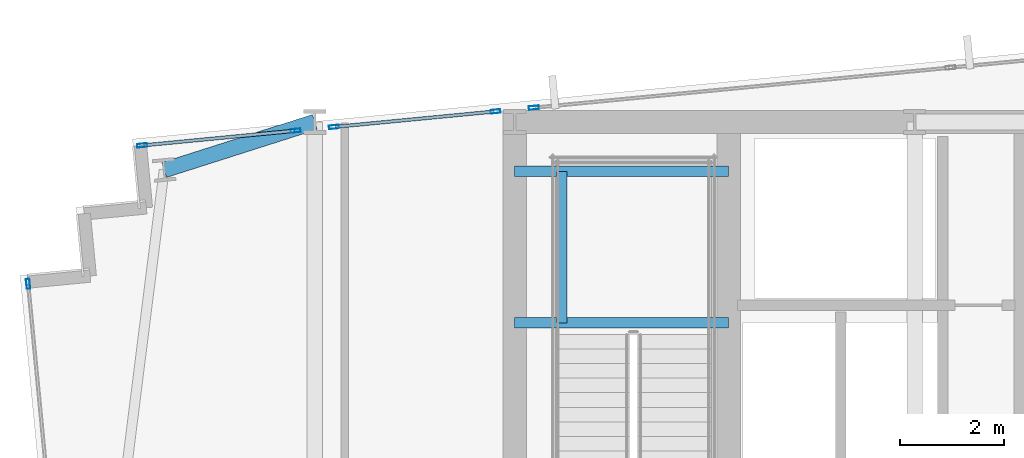
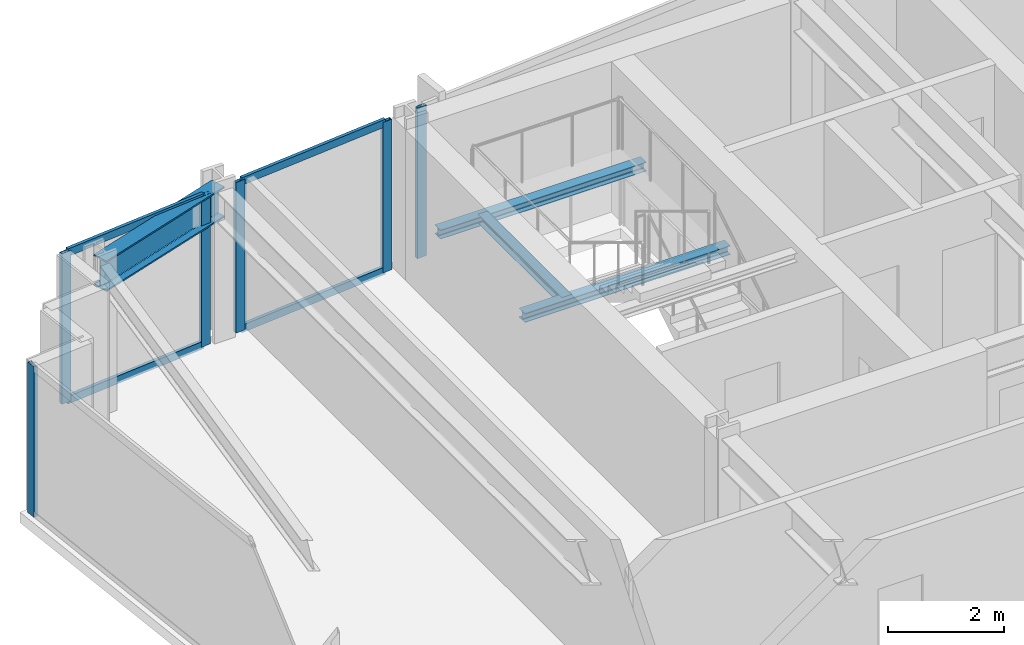
# One storey, part 17 of 32: 10 members, 4 beams, 4 elements without a shape of their own.
"""IFC4 building model written with IfcOpenShell, lengths in metres."""

from ifc_helpers import new_model, si_unit, direction, frame, origin, origin_2d, place, context, subcontext, project, spatial, hollow_rectangle, i_section, extrude, material, material_profile, profile_set, type_object, element, aggregate, save


model = new_model("IFC4")

# Units and contexts
model_context = context("Model", 3, precision=1e-05, world=origin(), true_north=direction((0.0, 1.0)))
body_context = subcontext(model_context, "Body", "Model", "MODEL_VIEW")
ifc_project = project(units=[si_unit("LENGTHUNIT", "METRE"), si_unit("AREAUNIT", "SQUARE_METRE"), si_unit("VOLUMEUNIT", "CUBIC_METRE"), si_unit("PLANEANGLEUNIT", "RADIAN"), si_unit("MASSUNIT", "GRAM", prefix="KILO")], contexts=[model_context])

# Site, building, storey
site_placement = place(None, origin())
site = spatial("IfcSite", under=ifc_project, at=site_placement, CompositionType="ELEMENT")
building_placement = place(site_placement, origin())
building = spatial("IfcBuilding", under=site, at=building_placement, Name="Yelkora Congress Tower", CompositionType="ELEMENT")
storey_placement = place(building_placement, frame((0.0, 0.0, 120.300048828125)))
storey = spatial("IfcBuildingStorey", under=building, at=storey_placement, Name="L32", CompositionType="ELEMENT", Elevation=120.300048828125)

# Beams
ifc_material_1 = material(Name="Steel S355J2", Category="steel")
ifc_material_profile_1 = material_profile(ifc_material_1, i_section(OverallWidth=0.300048828125, OverallDepth=0.64990234375, WebThickness=0.01611328125, FlangeThickness=0.031005859375, FilletRadius=0.027099609375, at=origin_2d()), Name="HEB 650")
ifc_profile_set_1 = profile_set([ifc_material_profile_1], Name="Steel S355J2")
beam_type_1 = type_object("IfcBeamType", Name="BM-GIRD-HEB650", PredefinedType="BEAM", material=ifc_profile_set_1)
beam_1_placement = place(storey_placement, frame((16.306884765625, 45.27734375, 2.85498046875), z_axis=(0.952727067409, 0.303827475759, 0.0), x_axis=(-0.303827475759, 0.952727067409, 0.0)))
element("IfcBeam", 1, at=beam_1_placement, inside=storey, type_object=beam_type_1, Name="L32 Primary Frame Girder N01", PredefinedType="BEAM", context=body_context, shape_type="SweptSolid", body=[
    extrude(i_section(OverallWidth=0.300048828125, OverallDepth=0.64990234375, WebThickness=0.01611328125, FlangeThickness=0.031005859375, FilletRadius=0.027099609375, at=origin_2d()), origin(), (0.0, 0.0, 1.0), 3.03662109375),
])
ifc_material_profile_2 = material_profile(ifc_material_1, i_section(OverallWidth=0.199951171875, OverallDepth=0.18994140625, WebThickness=0.006591796875, FlangeThickness=0.010009765625, FilletRadius=0.01806640625, at=origin_2d()), Name="HEA 200")
ifc_profile_set_2 = profile_set([ifc_material_profile_2], Name="Steel S355J2")
beam_type_2 = type_object("IfcBeamType", Name="BM-LAND-HEA200", PredefinedType="BEAM", material=ifc_profile_set_2)
for number, where, z_axis, x_axis, name in (
    (2, (23.0400390625, 42.340087890625, 1.384521484375), (1.0, 0.0, 0.0), (0.0, 1.0, 0.0), "ST-01 L32 Landing Header Beam 1S"),
    (3, (23.0400390625, 45.25, 1.384521484375), (1.0, 0.0, 0.0), (0.0, 1.0, 0.0), "ST-01 L32 Landing Header Beam 1N"),
):
    element("IfcBeam", number, at=place(storey_placement, frame(where, z_axis=z_axis, x_axis=x_axis)), inside=storey, type_object=beam_type_2, Name=name, PredefinedType="BEAM", context=body_context, shape_type="SweptSolid", body=[
        extrude(i_section(OverallWidth=0.199951171875, OverallDepth=0.18994140625, WebThickness=0.006591796875, FlangeThickness=0.010009765625, FilletRadius=0.01806640625, at=origin_2d()), origin(), (0.0, 0.0, 1.0), 4.10986328125),
    ])
beam_2_placement = place(storey_placement, frame((23.93994140625, 42.340087890625, 1.384521484375), z_axis=(0.0, 1.0, 0.0), x_axis=(-1.0, 0.0, 0.0)))
element("IfcBeam", 4, at=beam_2_placement, inside=storey, type_object=beam_type_2, Name="ST-01 L32 Landing Trimmer Beam 1M", PredefinedType="BEAM", context=body_context, shape_type="SweptSolid", body=[
    extrude(i_section(OverallWidth=0.199951171875, OverallDepth=0.18994140625, WebThickness=0.006591796875, FlangeThickness=0.010009765625, FilletRadius=0.01806640625, at=origin_2d()), origin(), (0.0, 0.0, 1.0), 2.909912109375),
])

# Curtain wall, member
ifc_material_2 = material(Name="Anodised aluminium and insulated glass", Category="aluminium")
curtain_wall_type = type_object("IfcCurtainWallType", Name="CW-SYS-B2", PredefinedType="NOTDEFINED", material=ifc_material_2)
curtain_wall_1_placement = place(storey_placement, origin())
curtain_wall_1 = element("IfcCurtainWall", 5, at=curtain_wall_1_placement, inside=storey, type_object=curtain_wall_type, Name="L32 Unitised Curtain Wall 5", PredefinedType="NOTDEFINED")
ifc_material_3 = material(Name="Anodised aluminium 6063-T6", Category="aluminium")
ifc_material_profile_3 = material_profile(ifc_material_3, hollow_rectangle(XDim=0.070068359375, YDim=0.18994140625, WallThickness=0.00390625, at=origin_2d()), Name="ALU 70x190x4")
ifc_profile_set_3 = profile_set([ifc_material_profile_3], Name="Anodised aluminium 6063-T6")
member_type_1 = type_object("IfcMemberType", Name="MEM-ML-B2", PredefinedType="MULLION", material=ifc_profile_set_3)
member_1_placement = place(storey_placement, frame((13.6943359375, 43.091796875, 0.0), z_axis=(0.0, 0.0, 1.0), x_axis=(-0.995396507508, -0.095842541913, 0.0)))
member_1 = element("IfcMember", 6, at=member_1_placement, type_object=member_type_1, Name="CW-B2 mullion 5", PredefinedType="MULLION", context=body_context, shape_type="SweptSolid", body=[
    extrude(hollow_rectangle(XDim=0.070068359375, YDim=0.18994140625, WallThickness=0.00390625, at=origin_2d()), origin(), (0.0, 0.0, 1.0), 3.179931640625),
])
aggregate(curtain_wall_1, [member_1])

# Curtain wall, members
curtain_wall_2_placement = place(storey_placement, origin())
curtain_wall_2 = element("IfcCurtainWall", 7, at=curtain_wall_2_placement, inside=storey, type_object=curtain_wall_type, Name="L32 Unitised Curtain Wall 10 (1)", PredefinedType="NOTDEFINED")
member_2_placement = place(storey_placement, frame((15.884521484375, 45.7490234375, 0.0), z_axis=(0.0, 0.0, 1.0), x_axis=(-0.095839346142, 0.99539681521, 0.0)))
member_2 = element("IfcMember", 8, at=member_2_placement, type_object=member_type_1, Name="CW-B2 mullion 1", PredefinedType="MULLION", context=body_context, shape_type="SweptSolid", body=[
    extrude(hollow_rectangle(XDim=0.070068359375, YDim=0.18994140625, WallThickness=0.00390625, at=origin_2d()), origin(), (0.0, 0.0, 1.0), 3.179931640625),
])
member_3_placement = place(storey_placement, frame((18.833251953125, 46.032958984375, 0.0), z_axis=(0.0, 0.0, 1.0), x_axis=(-0.095839346142, 0.99539681521, 0.0)))
member_3 = element("IfcMember", 9, at=member_3_placement, type_object=member_type_1, Name="CW-B2 mullion 2", PredefinedType="MULLION", context=body_context, shape_type="SweptSolid", body=[
    extrude(hollow_rectangle(XDim=0.070068359375, YDim=0.18994140625, WallThickness=0.00390625, at=origin_2d()), origin(), (0.0, 0.0, 1.0), 3.179931640625),
])

curtain_wall_3_placement = place(storey_placement, origin())
curtain_wall_3 = element("IfcCurtainWall", 10, at=curtain_wall_3_placement, inside=storey, type_object=curtain_wall_type, Name="L32 Unitised Curtain Wall 10 (2)", PredefinedType="NOTDEFINED")
member_4_placement = place(storey_placement, frame((19.56689453125, 46.103515625, 0.0), z_axis=(0.0, 0.0, 1.0), x_axis=(-0.095841399764, 0.99539661748, 0.0)))
member_4 = element("IfcMember", 11, at=member_4_placement, type_object=member_type_1, Name="CW-B2 mullion 1", PredefinedType="MULLION", context=body_context, shape_type="SweptSolid", body=[
    extrude(hollow_rectangle(XDim=0.070068359375, YDim=0.18994140625, WallThickness=0.00390625, at=origin_2d()), origin(), (0.0, 0.0, 1.0), 3.179931640625),
])
member_5_placement = place(storey_placement, frame((22.673095703125, 46.402587890625, 0.0), z_axis=(0.0, 0.0, 1.0), x_axis=(-0.095841399764, 0.99539661748, 0.0)))
member_5 = element("IfcMember", 12, at=member_5_placement, type_object=member_type_1, Name="CW-B2 mullion 2", PredefinedType="MULLION", context=body_context, shape_type="SweptSolid", body=[
    extrude(hollow_rectangle(XDim=0.070068359375, YDim=0.18994140625, WallThickness=0.00390625, at=origin_2d()), origin(), (0.0, 0.0, 1.0), 3.179931640625),
])

# Curtain wall, member
curtain_wall_4_placement = place(storey_placement, origin())
curtain_wall_4 = element("IfcCurtainWall", 13, at=curtain_wall_4_placement, inside=storey, type_object=curtain_wall_type, Name="L32 Unitised Curtain Wall 10 (3)", PredefinedType="NOTDEFINED")
member_6_placement = place(storey_placement, frame((23.40673828125, 46.473388671875, 0.0), z_axis=(0.0, 0.0, 1.0), x_axis=(-0.095844238468, 0.995396344153, 0.0)))
member_6 = element("IfcMember", 14, at=member_6_placement, type_object=member_type_1, Name="CW-B2 mullion 1", PredefinedType="MULLION", context=body_context, shape_type="SweptSolid", body=[
    extrude(hollow_rectangle(XDim=0.070068359375, YDim=0.18994140625, WallThickness=0.00390625, at=origin_2d()), origin(), (0.0, 0.0, 1.0), 3.179931640625),
])
aggregate(curtain_wall_4, [member_6])

# Member
ifc_material_profile_4 = material_profile(ifc_material_3, hollow_rectangle(XDim=0.06494140625, YDim=0.159912109375, WallThickness=0.00390625, at=origin_2d()), Name="ALU 65x160x4")
ifc_profile_set_4 = profile_set([ifc_material_profile_4], Name="Anodised aluminium 6063-T6")
member_type_2 = type_object("IfcMemberType", Name="MEM-TR-B2", PredefinedType="USERDEFINED", material=ifc_profile_set_4)
member_7_placement = place(storey_placement, frame((15.91943359375, 45.75244140625, 0.032470703125), z_axis=(0.995399744854, 0.095808913705, 0.0), x_axis=(-0.095808913705, 0.995399744854, 0.0)))
member_7 = element("IfcMember", 15, at=member_7_placement, type_object=member_type_2, Name="CW-B2 transom 1.1", ObjectType="TRANSOM", PredefinedType="USERDEFINED", context=body_context, shape_type="SweptSolid", body=[
    extrude(hollow_rectangle(XDim=0.06494140625, YDim=0.159912109375, WallThickness=0.00390625, at=origin_2d()), origin(), (0.0, 0.0, 1.0), 2.89208984375),
])

member_8_placement = place(storey_placement, frame((15.91943359375, 45.75244140625, 3.1474609375), z_axis=(0.995399744854, 0.095808913705, 0.0), x_axis=(-0.095808913705, 0.995399744854, 0.0)))
member_8 = element("IfcMember", 16, at=member_8_placement, type_object=member_type_2, Name="CW-B2 transom 1.2", ObjectType="TRANSOM", PredefinedType="USERDEFINED", context=body_context, shape_type="SweptSolid", body=[
    extrude(hollow_rectangle(XDim=0.06494140625, YDim=0.159912109375, WallThickness=0.00390625, at=origin_2d()), origin(), (0.0, 0.0, 1.0), 2.89208984375),
])

aggregate(curtain_wall_2, [member_2, member_3, member_7, member_8])

member_9_placement = place(storey_placement, frame((19.6015625, 46.10693359375, 0.032470703125), z_axis=(0.995401842144, 0.095787121557, 0.0), x_axis=(-0.095787121557, 0.995401842144, 0.0)))
member_9 = element("IfcMember", 17, at=member_9_placement, type_object=member_type_2, Name="CW-B2 transom 1.1", ObjectType="TRANSOM", PredefinedType="USERDEFINED", context=body_context, shape_type="SweptSolid", body=[
    extrude(hollow_rectangle(XDim=0.06494140625, YDim=0.159912109375, WallThickness=0.00390625, at=origin_2d()), origin(), (0.0, 0.0, 1.0), 3.05078125),
])

member_10_placement = place(storey_placement, frame((19.6015625, 46.10693359375, 3.1474609375), z_axis=(0.995401842144, 0.095787121557, 0.0), x_axis=(-0.095787121557, 0.995401842144, 0.0)))
member_10 = element("IfcMember", 18, at=member_10_placement, type_object=member_type_2, Name="CW-B2 transom 1.2", ObjectType="TRANSOM", PredefinedType="USERDEFINED", context=body_context, shape_type="SweptSolid", body=[
    extrude(hollow_rectangle(XDim=0.06494140625, YDim=0.159912109375, WallThickness=0.00390625, at=origin_2d()), origin(), (0.0, 0.0, 1.0), 3.05078125),
])

aggregate(curtain_wall_3, [member_4, member_5, member_9, member_10])

save(model, "model.ifc")
